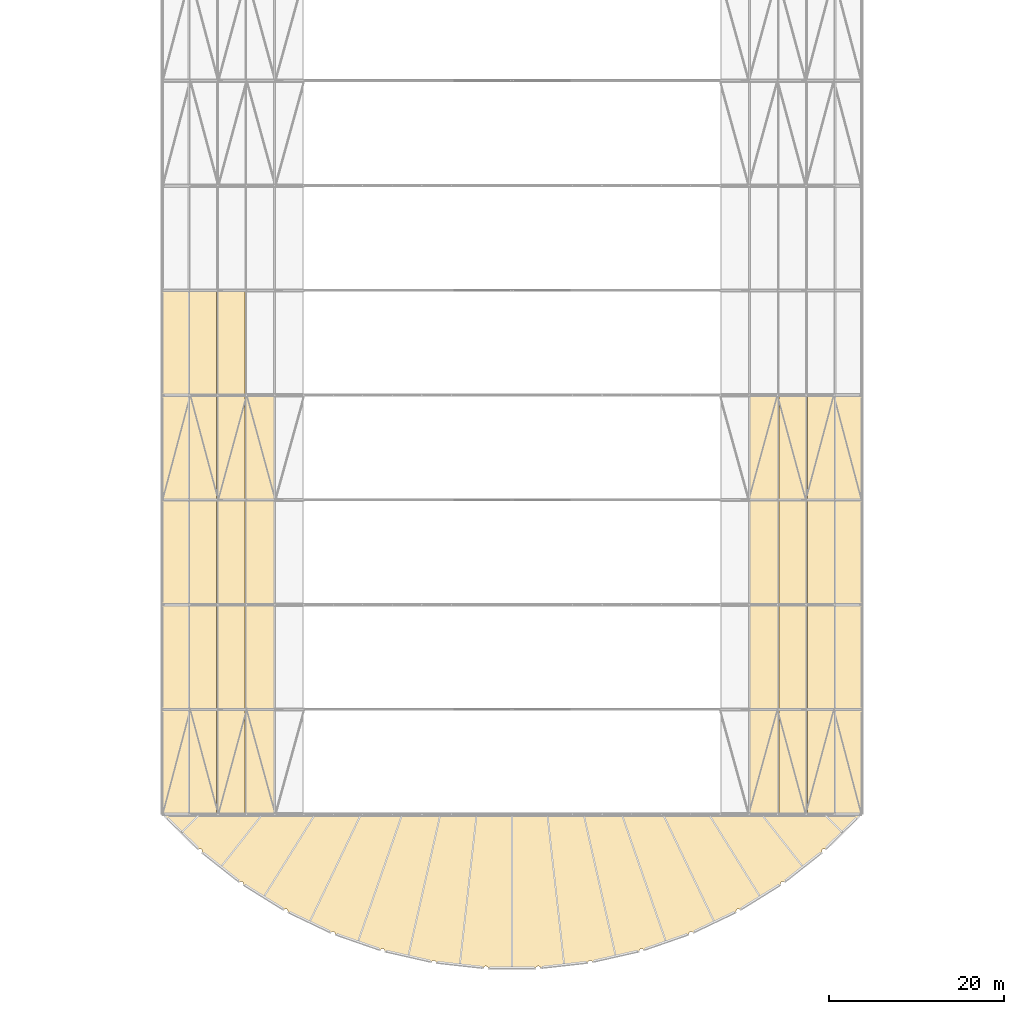
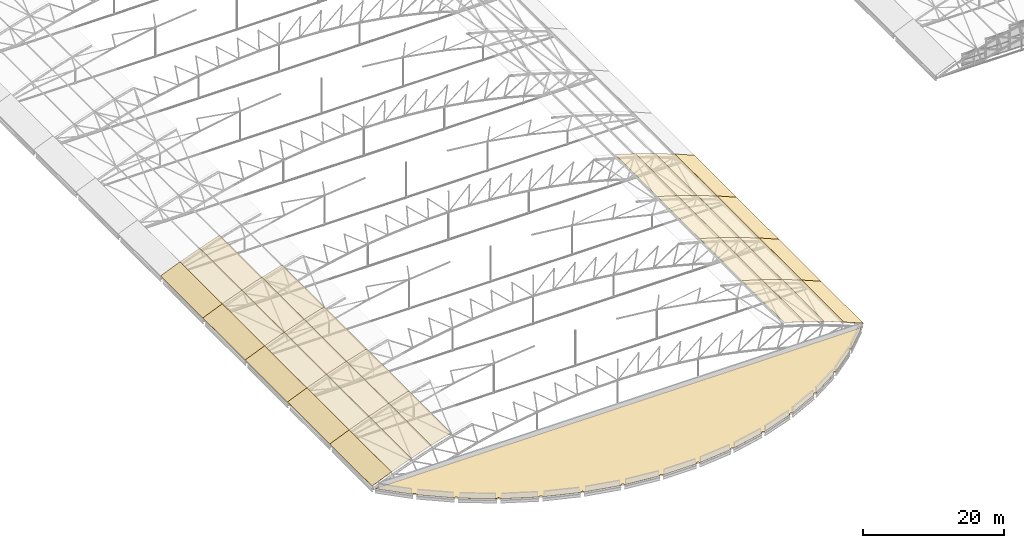
# One storey, part 315 of 321: 36 coverings.
"""IFC4 building model written with IfcOpenShell, lengths in metres."""

from ifc_helpers import new_model, si_unit, direction, frame, origin, place, context, subcontext, project, spatial, polyline, outline, extrude, material, layer, layer_set, type_object, element, save


model = new_model("IFC4")

# Units and contexts
model_context = context("Model", 3, precision=1e-05, world=origin(), true_north=direction((0.0, 1.0)))
body_context = subcontext(model_context, "Body", "Model", "MODEL_VIEW")
ifc_project = project(units=[si_unit("LENGTHUNIT", "METRE"), si_unit("AREAUNIT", "SQUARE_METRE"), si_unit("VOLUMEUNIT", "CUBIC_METRE"), si_unit("PLANEANGLEUNIT", "RADIAN"), si_unit("MASSUNIT", "GRAM", prefix="KILO")], contexts=[model_context])

# Site, building, storey
site_placement = place(None, origin())
site = spatial("IfcSite", under=ifc_project, at=site_placement, CompositionType="ELEMENT")
building_placement = place(site_placement, origin())
building = spatial("IfcBuilding", under=site, at=building_placement, Name="Ravi Spectrum Wholesale Market", CompositionType="ELEMENT")
storey_placement = place(building_placement, frame((0.0, 0.0, 10.800048828125)))
storey = spatial("IfcBuildingStorey", under=building, at=storey_placement, Name="L02", CompositionType="ELEMENT", Elevation=10.800048828125)

# Coverings
ifc_material = material(Name="Roofing membrane")
ifc_layer = layer(ifc_material, 0.008056640625)
ifc_layer_set = layer_set([ifc_layer], Name="Roofing membrane")
covering_type = type_object("IfcCoveringType", Name="Roofing membrane 8", PredefinedType="ROOFING", material=ifc_layer_set)
covering_1_placement = place(storey_placement, frame((29.76025390625, 30.0, 0.55126953125), z_axis=(-0.386400188162, 0.0, 0.922331228241), x_axis=(0.922331228241, 0.0, 0.386400188162)))
element("IfcCovering", 1, at=covering_1_placement, inside=storey, type_object=covering_type, Name="H1-CV-L02-001", PredefinedType="ROOFING", context=body_context, shape_type="SweptSolid", body=[
    extrude(outline(polyline([(0.0, 0.0), (3.44665233138391, 0.0), (3.44665233138391, 12.0), (0.0, 12.0), (0.0, 0.0)])), origin(), (0.0, 0.0, -1.0), 0.008056640625),
])
covering_2_placement = place(storey_placement, frame((32.943115234375, 30.0, 1.884765625), z_axis=(-0.354304022931, 0.0, 0.935130290032), x_axis=(0.935130290032, 0.0, 0.354304022931)))
element("IfcCovering", 2, at=covering_2_placement, inside=storey, type_object=covering_type, Name="H1-CV-L02-002", PredefinedType="ROOFING", context=body_context, shape_type="SweptSolid", body=[
    extrude(outline(polyline([(0.0, 0.0), (3.446733108325278, 0.0), (3.446733108325278, 12.0), (0.0, 12.0), (0.0, 0.0)])), origin(), (0.0, 0.0, -1.0), 0.008056640625),
])
covering_3_placement = place(storey_placement, frame((36.17041015625, 30.0, 3.107666015625), z_axis=(-0.321874795259, 0.0, 0.946782243273), x_axis=(0.946782243273, 0.0, 0.321874795259)))
element("IfcCovering", 3, at=covering_3_placement, inside=storey, type_object=covering_type, Name="H1-CV-L02-003", PredefinedType="ROOFING", context=body_context, shape_type="SweptSolid", body=[
    extrude(outline(polyline([(0.0, 0.0), (3.4466041340925955, 0.0), (3.4466041340925955, 12.000000000000004), (0.0, 12.000000000000004), (0.0, 0.0)])), origin(), (0.0, 0.0, -1.0), 0.008056640625),
])
for number, where, z_axis, x_axis, name in (
    (4, (39.437744140625, 30.0, 4.21826171875), (-0.289069508048, 0.0, 0.957308111068), (0.957308111068, 0.0, 0.289069508048), "H1-CV-L02-004"),
    (5, (97.2626953125, 30.0, 5.214599609375), (0.289069508048, 0.0, 0.957308111068), (0.957308111068, 0.0, -0.289069508048), "H1-CV-L02-005"),
):
    element("IfcCovering", number, at=place(storey_placement, frame(where, z_axis=z_axis, x_axis=x_axis)), inside=storey, type_object=covering_type, Name=name, PredefinedType="ROOFING", context=body_context, shape_type="SweptSolid", body=[
        extrude(outline(polyline([(0.0, 0.0), (3.4467069783764797, 0.0), (3.4467069783764797, 12.0), (0.0, 12.0), (0.0, 0.0)])), origin(), (0.0, 0.0, -1.0), 0.008056640625),
    ])
covering_4_placement = place(storey_placement, frame((100.56640625, 30.0, 4.217041015625), z_axis=(0.321874795259, 0.0, 0.946782243273), x_axis=(0.946782243273, 0.0, -0.321874795259)))
element("IfcCovering", 6, at=covering_4_placement, inside=storey, type_object=covering_type, Name="H1-CV-L02-006", PredefinedType="ROOFING", context=body_context, shape_type="SweptSolid", body=[
    extrude(outline(polyline([(0.0, 0.0), (3.4466041340925955, 0.0), (3.4466041340925955, 12.000000000000004), (0.0, 12.000000000000004), (0.0, 0.0)])), origin(), (0.0, 0.0, -1.0), 0.008056640625),
])
covering_5_placement = place(storey_placement, frame((103.833740234375, 30.0, 3.10595703125), z_axis=(0.354304022931, 0.0, 0.935130290032), x_axis=(0.935130290032, 0.0, -0.354304022931)))
element("IfcCovering", 7, at=covering_5_placement, inside=storey, type_object=covering_type, Name="H1-CV-L02-007", PredefinedType="ROOFING", context=body_context, shape_type="SweptSolid", body=[
    extrude(outline(polyline([(0.0, 0.0), (3.446733108325278, 0.0), (3.446733108325278, 12.0), (0.0, 12.0), (0.0, 0.0)])), origin(), (0.0, 0.0, -1.0), 0.008056640625),
])
for number, where, z_axis, x_axis, name in (
    (8, (107.060791015625, 30.0, 1.883056640625), (0.386400188162, 0.0, 0.922331228241), (0.922331228241, 0.0, -0.386400188162), "H1-CV-L02-008"),
    (9, (29.76025390625, 42.0, 0.55126953125), (-0.386400188162, 0.0, 0.922331228241), (0.922331228241, 0.0, 0.386400188162), "H1-CV-L02-009"),
):
    element("IfcCovering", number, at=place(storey_placement, frame(where, z_axis=z_axis, x_axis=x_axis)), inside=storey, type_object=covering_type, Name=name, PredefinedType="ROOFING", context=body_context, shape_type="SweptSolid", body=[
        extrude(outline(polyline([(0.0, 0.0), (3.44665233138391, 0.0), (3.44665233138391, 12.0), (0.0, 12.0), (0.0, 0.0)])), origin(), (0.0, 0.0, -1.0), 0.008056640625),
    ])
covering_6_placement = place(storey_placement, frame((32.943115234375, 42.0, 1.884765625), z_axis=(-0.354304022931, 0.0, 0.935130290032), x_axis=(0.935130290032, 0.0, 0.354304022931)))
element("IfcCovering", 10, at=covering_6_placement, inside=storey, type_object=covering_type, Name="H1-CV-L02-010", PredefinedType="ROOFING", context=body_context, shape_type="SweptSolid", body=[
    extrude(outline(polyline([(0.0, 0.0), (3.446733108325278, 0.0), (3.446733108325278, 12.0), (0.0, 12.0), (0.0, 0.0)])), origin(), (0.0, 0.0, -1.0), 0.008056640625),
])
covering_7_placement = place(storey_placement, frame((36.17041015625, 42.0, 3.107666015625), z_axis=(-0.321874795259, 0.0, 0.946782243273), x_axis=(0.946782243273, 0.0, 0.321874795259)))
element("IfcCovering", 11, at=covering_7_placement, inside=storey, type_object=covering_type, Name="H1-CV-L02-011", PredefinedType="ROOFING", context=body_context, shape_type="SweptSolid", body=[
    extrude(outline(polyline([(0.0, 0.0), (3.4466041340925955, 0.0), (3.4466041340925955, 12.000000000000004), (0.0, 12.000000000000004), (0.0, 0.0)])), origin(), (0.0, 0.0, -1.0), 0.008056640625),
])
for number, where, z_axis, x_axis, name in (
    (12, (39.437744140625, 42.0, 4.21826171875), (-0.289069508048, 0.0, 0.957308111068), (0.957308111068, 0.0, 0.289069508048), "H1-CV-L02-012"),
    (13, (97.2626953125, 42.0, 5.214599609375), (0.289069508048, 0.0, 0.957308111068), (0.957308111068, 0.0, -0.289069508048), "H1-CV-L02-013"),
):
    element("IfcCovering", number, at=place(storey_placement, frame(where, z_axis=z_axis, x_axis=x_axis)), inside=storey, type_object=covering_type, Name=name, PredefinedType="ROOFING", context=body_context, shape_type="SweptSolid", body=[
        extrude(outline(polyline([(0.0, 0.0), (3.4467069783764797, 0.0), (3.4467069783764797, 12.0), (0.0, 12.0), (0.0, 0.0)])), origin(), (0.0, 0.0, -1.0), 0.008056640625),
    ])
covering_8_placement = place(storey_placement, frame((100.56640625, 42.0, 4.217041015625), z_axis=(0.321874795259, 0.0, 0.946782243273), x_axis=(0.946782243273, 0.0, -0.321874795259)))
element("IfcCovering", 14, at=covering_8_placement, inside=storey, type_object=covering_type, Name="H1-CV-L02-014", PredefinedType="ROOFING", context=body_context, shape_type="SweptSolid", body=[
    extrude(outline(polyline([(0.0, 0.0), (3.4466041340925955, 0.0), (3.4466041340925955, 12.000000000000004), (0.0, 12.000000000000004), (0.0, 0.0)])), origin(), (0.0, 0.0, -1.0), 0.008056640625),
])
covering_9_placement = place(storey_placement, frame((103.833740234375, 42.0, 3.10595703125), z_axis=(0.354304022931, 0.0, 0.935130290032), x_axis=(0.935130290032, 0.0, -0.354304022931)))
element("IfcCovering", 15, at=covering_9_placement, inside=storey, type_object=covering_type, Name="H1-CV-L02-015", PredefinedType="ROOFING", context=body_context, shape_type="SweptSolid", body=[
    extrude(outline(polyline([(0.0, 0.0), (3.446733108325278, 0.0), (3.446733108325278, 12.0), (0.0, 12.0), (0.0, 0.0)])), origin(), (0.0, 0.0, -1.0), 0.008056640625),
])
for number, where, z_axis, x_axis, name in (
    (16, (107.060791015625, 42.0, 1.883056640625), (0.386400188162, 0.0, 0.922331228241), (0.922331228241, 0.0, -0.386400188162), "H1-CV-L02-016"),
    (17, (29.76025390625, 54.0, 0.55126953125), (-0.386400188162, 0.0, 0.922331228241), (0.922331228241, 0.0, 0.386400188162), "H1-CV-L02-017"),
):
    element("IfcCovering", number, at=place(storey_placement, frame(where, z_axis=z_axis, x_axis=x_axis)), inside=storey, type_object=covering_type, Name=name, PredefinedType="ROOFING", context=body_context, shape_type="SweptSolid", body=[
        extrude(outline(polyline([(0.0, 0.0), (3.44665233138391, 0.0), (3.44665233138391, 12.0), (0.0, 12.0), (0.0, 0.0)])), origin(), (0.0, 0.0, -1.0), 0.008056640625),
    ])
covering_10_placement = place(storey_placement, frame((32.943115234375, 54.0, 1.884765625), z_axis=(-0.354304022931, 0.0, 0.935130290032), x_axis=(0.935130290032, 0.0, 0.354304022931)))
element("IfcCovering", 18, at=covering_10_placement, inside=storey, type_object=covering_type, Name="H1-CV-L02-018", PredefinedType="ROOFING", context=body_context, shape_type="SweptSolid", body=[
    extrude(outline(polyline([(0.0, 0.0), (3.446733108325278, 0.0), (3.446733108325278, 12.0), (0.0, 12.0), (0.0, 0.0)])), origin(), (0.0, 0.0, -1.0), 0.008056640625),
])
covering_11_placement = place(storey_placement, frame((36.17041015625, 54.0, 3.107666015625), z_axis=(-0.321874795259, 0.0, 0.946782243273), x_axis=(0.946782243273, 0.0, 0.321874795259)))
element("IfcCovering", 19, at=covering_11_placement, inside=storey, type_object=covering_type, Name="H1-CV-L02-019", PredefinedType="ROOFING", context=body_context, shape_type="SweptSolid", body=[
    extrude(outline(polyline([(0.0, 0.0), (3.4466041340925955, 0.0), (3.4466041340925955, 12.000000000000004), (0.0, 12.000000000000004), (0.0, 0.0)])), origin(), (0.0, 0.0, -1.0), 0.008056640625),
])
for number, where, z_axis, x_axis, name in (
    (20, (39.437744140625, 54.0, 4.21826171875), (-0.289069508048, 0.0, 0.957308111068), (0.957308111068, 0.0, 0.289069508048), "H1-CV-L02-020"),
    (21, (97.2626953125, 54.0, 5.214599609375), (0.289069508048, 0.0, 0.957308111068), (0.957308111068, 0.0, -0.289069508048), "H1-CV-L02-021"),
):
    element("IfcCovering", number, at=place(storey_placement, frame(where, z_axis=z_axis, x_axis=x_axis)), inside=storey, type_object=covering_type, Name=name, PredefinedType="ROOFING", context=body_context, shape_type="SweptSolid", body=[
        extrude(outline(polyline([(0.0, 0.0), (3.4467069783764797, 0.0), (3.4467069783764797, 12.0), (0.0, 12.0), (0.0, 0.0)])), origin(), (0.0, 0.0, -1.0), 0.008056640625),
    ])
covering_12_placement = place(storey_placement, frame((100.56640625, 54.0, 4.217041015625), z_axis=(0.321874795259, 0.0, 0.946782243273), x_axis=(0.946782243273, 0.0, -0.321874795259)))
element("IfcCovering", 22, at=covering_12_placement, inside=storey, type_object=covering_type, Name="H1-CV-L02-022", PredefinedType="ROOFING", context=body_context, shape_type="SweptSolid", body=[
    extrude(outline(polyline([(0.0, 0.0), (3.4466041340925955, 0.0), (3.4466041340925955, 12.000000000000004), (0.0, 12.000000000000004), (0.0, 0.0)])), origin(), (0.0, 0.0, -1.0), 0.008056640625),
])
covering_13_placement = place(storey_placement, frame((103.833740234375, 54.0, 3.10595703125), z_axis=(0.354304022931, 0.0, 0.935130290032), x_axis=(0.935130290032, 0.0, -0.354304022931)))
element("IfcCovering", 23, at=covering_13_placement, inside=storey, type_object=covering_type, Name="H1-CV-L02-023", PredefinedType="ROOFING", context=body_context, shape_type="SweptSolid", body=[
    extrude(outline(polyline([(0.0, 0.0), (3.446733108325278, 0.0), (3.446733108325278, 12.0), (0.0, 12.0), (0.0, 0.0)])), origin(), (0.0, 0.0, -1.0), 0.008056640625),
])
for number, where, z_axis, x_axis, name in (
    (24, (107.060791015625, 54.0, 1.883056640625), (0.386400188162, 0.0, 0.922331228241), (0.922331228241, 0.0, -0.386400188162), "H1-CV-L02-024"),
    (25, (29.76025390625, 66.0, 0.55126953125), (-0.386400188162, 0.0, 0.922331228241), (0.922331228241, 0.0, 0.386400188162), "H1-CV-L02-025"),
):
    element("IfcCovering", number, at=place(storey_placement, frame(where, z_axis=z_axis, x_axis=x_axis)), inside=storey, type_object=covering_type, Name=name, PredefinedType="ROOFING", context=body_context, shape_type="SweptSolid", body=[
        extrude(outline(polyline([(0.0, 0.0), (3.44665233138391, 0.0), (3.44665233138391, 12.0), (0.0, 12.0), (0.0, 0.0)])), origin(), (0.0, 0.0, -1.0), 0.008056640625),
    ])
covering_14_placement = place(storey_placement, frame((32.943115234375, 66.0, 1.884765625), z_axis=(-0.354304022931, 0.0, 0.935130290032), x_axis=(0.935130290032, 0.0, 0.354304022931)))
element("IfcCovering", 26, at=covering_14_placement, inside=storey, type_object=covering_type, Name="H1-CV-L02-026", PredefinedType="ROOFING", context=body_context, shape_type="SweptSolid", body=[
    extrude(outline(polyline([(0.0, 0.0), (3.446733108325278, 0.0), (3.446733108325278, 12.0), (0.0, 12.0), (0.0, 0.0)])), origin(), (0.0, 0.0, -1.0), 0.008056640625),
])
covering_15_placement = place(storey_placement, frame((36.17041015625, 66.0, 3.107666015625), z_axis=(-0.321874795259, 0.0, 0.946782243273), x_axis=(0.946782243273, 0.0, 0.321874795259)))
element("IfcCovering", 27, at=covering_15_placement, inside=storey, type_object=covering_type, Name="H1-CV-L02-027", PredefinedType="ROOFING", context=body_context, shape_type="SweptSolid", body=[
    extrude(outline(polyline([(0.0, 0.0), (3.4466041340925955, 0.0), (3.4466041340925955, 12.000000000000004), (0.0, 12.000000000000004), (0.0, 0.0)])), origin(), (0.0, 0.0, -1.0), 0.008056640625),
])
for number, where, z_axis, x_axis, name in (
    (28, (39.437744140625, 66.0, 4.21826171875), (-0.289069508048, 0.0, 0.957308111068), (0.957308111068, 0.0, 0.289069508048), "H1-CV-L02-028"),
    (29, (97.2626953125, 66.0, 5.214599609375), (0.289069508048, 0.0, 0.957308111068), (0.957308111068, 0.0, -0.289069508048), "H1-CV-L02-029"),
):
    element("IfcCovering", number, at=place(storey_placement, frame(where, z_axis=z_axis, x_axis=x_axis)), inside=storey, type_object=covering_type, Name=name, PredefinedType="ROOFING", context=body_context, shape_type="SweptSolid", body=[
        extrude(outline(polyline([(0.0, 0.0), (3.4467069783764797, 0.0), (3.4467069783764797, 12.0), (0.0, 12.0), (0.0, 0.0)])), origin(), (0.0, 0.0, -1.0), 0.008056640625),
    ])
covering_16_placement = place(storey_placement, frame((100.56640625, 66.0, 4.217041015625), z_axis=(0.321874795259, 0.0, 0.946782243273), x_axis=(0.946782243273, 0.0, -0.321874795259)))
element("IfcCovering", 30, at=covering_16_placement, inside=storey, type_object=covering_type, Name="H1-CV-L02-030", PredefinedType="ROOFING", context=body_context, shape_type="SweptSolid", body=[
    extrude(outline(polyline([(0.0, 0.0), (3.4466041340925955, 0.0), (3.4466041340925955, 12.000000000000004), (0.0, 12.000000000000004), (0.0, 0.0)])), origin(), (0.0, 0.0, -1.0), 0.008056640625),
])
covering_17_placement = place(storey_placement, frame((103.833740234375, 66.0, 3.10595703125), z_axis=(0.354304022931, 0.0, 0.935130290032), x_axis=(0.935130290032, 0.0, -0.354304022931)))
element("IfcCovering", 31, at=covering_17_placement, inside=storey, type_object=covering_type, Name="H1-CV-L02-031", PredefinedType="ROOFING", context=body_context, shape_type="SweptSolid", body=[
    extrude(outline(polyline([(0.0, 0.0), (3.446733108325278, 0.0), (3.446733108325278, 12.0), (0.0, 12.0), (0.0, 0.0)])), origin(), (0.0, 0.0, -1.0), 0.008056640625),
])
for number, where, z_axis, x_axis, name in (
    (32, (107.060791015625, 66.0, 1.883056640625), (0.386400188162, 0.0, 0.922331228241), (0.922331228241, 0.0, -0.386400188162), "H1-CV-L02-032"),
    (33, (29.76025390625, 78.0, 0.55126953125), (-0.386400188162, 0.0, 0.922331228241), (0.922331228241, 0.0, 0.386400188162), "H1-CV-L02-033"),
):
    element("IfcCovering", number, at=place(storey_placement, frame(where, z_axis=z_axis, x_axis=x_axis)), inside=storey, type_object=covering_type, Name=name, PredefinedType="ROOFING", context=body_context, shape_type="SweptSolid", body=[
        extrude(outline(polyline([(0.0, 0.0), (3.44665233138391, 0.0), (3.44665233138391, 12.0), (0.0, 12.0), (0.0, 0.0)])), origin(), (0.0, 0.0, -1.0), 0.008056640625),
    ])
covering_18_placement = place(storey_placement, frame((32.943115234375, 78.0, 1.884765625), z_axis=(-0.354304022931, 0.0, 0.935130290032), x_axis=(0.935130290032, 0.0, 0.354304022931)))
element("IfcCovering", 34, at=covering_18_placement, inside=storey, type_object=covering_type, Name="H1-CV-L02-034", PredefinedType="ROOFING", context=body_context, shape_type="SweptSolid", body=[
    extrude(outline(polyline([(0.0, 0.0), (3.446733108325278, 0.0), (3.446733108325278, 12.0), (0.0, 12.0), (0.0, 0.0)])), origin(), (0.0, 0.0, -1.0), 0.008056640625),
])
covering_19_placement = place(storey_placement, frame((36.17041015625, 78.0, 3.107666015625), z_axis=(-0.321874795259, 0.0, 0.946782243273), x_axis=(0.946782243273, 0.0, 0.321874795259)))
element("IfcCovering", 35, at=covering_19_placement, inside=storey, type_object=covering_type, Name="H1-CV-L02-035", PredefinedType="ROOFING", context=body_context, shape_type="SweptSolid", body=[
    extrude(outline(polyline([(0.0, 0.0), (3.4466041340925955, 0.0), (3.4466041340925955, 12.000000000000004), (0.0, 12.000000000000004), (0.0, 0.0)])), origin(), (0.0, 0.0, -1.0), 0.008056640625),
])
covering_20_placement = place(storey_placement, frame((0.0, 0.0, 0.050048828125)))
element("IfcCovering", 36, at=covering_20_placement, inside=storey, type_object=covering_type, Name="H1-CV-L02-113", PredefinedType="ROOFING", context=body_context, shape_type="SweptSolid", body=[
    extrude(outline(polyline([(101.218505859375, 22.232421875), (101.21533203125, 22.236572265625), (101.197998046875, 22.255859375), (101.1787109375, 22.273193359375), (101.157958984375, 22.288818359375), (101.1357421875, 22.302001953125), (101.1123046875, 22.31298828125), (101.087890625, 22.32177734375), (101.062744140625, 22.328125), (101.037109375, 22.33203125), (101.01123046875, 22.333251953125), (100.9853515625, 22.33203125), (100.959716796875, 22.328125), (100.9345703125, 22.32177734375), (100.91015625, 22.31298828125), (100.88671875, 22.302001953125), (100.864501953125, 22.288818359375), (100.84375, 22.273193359375), (100.824462890625, 22.255859375), (100.80712890625, 22.236572265625), (100.791748046875, 22.2158203125), (100.7783203125, 22.193603515625), (100.767333984375, 22.170166015625), (100.758544921875, 22.145751953125), (100.752197265625, 22.12060546875), (100.74853515625, 22.094970703125), (100.747314453125, 22.069091796875), (100.74853515625, 22.043212890625), (100.752197265625, 22.017578125), (100.758544921875, 21.99267578125), (100.767333984375, 21.96826171875), (100.7783203125, 21.94482421875), (100.787109375, 21.929931640625), (96.13671875, 19.03955078125), (96.13232421875, 19.046875), (96.116943359375, 19.06787109375), (96.099609375, 19.0869140625), (96.080322265625, 19.104248046875), (96.0595703125, 19.119873046875), (96.037353515625, 19.133056640625), (96.013916015625, 19.144287109375), (95.989501953125, 19.15283203125), (95.96435546875, 19.1591796875), (95.938720703125, 19.1630859375), (95.912841796875, 19.164306640625), (95.886962890625, 19.1630859375), (95.861328125, 19.1591796875), (95.836181640625, 19.15283203125), (95.811767578125, 19.144287109375), (95.788330078125, 19.133056640625), (95.76611328125, 19.119873046875), (95.745361328125, 19.104248046875), (95.72607421875, 19.0869140625), (95.708740234375, 19.06787109375), (95.693359375, 19.046875), (95.679931640625, 19.024658203125), (95.6689453125, 19.001220703125), (95.66015625, 18.97705078125), (95.65380859375, 18.951904296875), (95.650146484375, 18.92626953125), (95.64892578125, 18.900390625), (95.650146484375, 18.87451171875), (95.65380859375, 18.848876953125), (95.66015625, 18.82373046875), (95.6689453125, 18.79931640625), (95.6748046875, 18.786865234375), (90.732177734375, 16.430419921875), (90.72705078125, 16.44140625), (90.713623046875, 16.463623046875), (90.6982421875, 16.484375), (90.680908203125, 16.503662109375), (90.66162109375, 16.52099609375), (90.640869140625, 16.536376953125), (90.61865234375, 16.5498046875), (90.59521484375, 16.560791015625), (90.57080078125, 16.569580078125), (90.545654296875, 16.57568359375), (90.52001953125, 16.57958984375), (90.494140625, 16.580810546875), (90.46826171875, 16.57958984375), (90.442626953125, 16.57568359375), (90.41748046875, 16.569580078125), (90.393310546875, 16.560791015625), (90.369873046875, 16.5498046875), (90.34765625, 16.536376953125), (90.32666015625, 16.52099609375), (90.3076171875, 16.503662109375), (90.2900390625, 16.484375), (90.274658203125, 16.463623046875), (90.261474609375, 16.44140625), (90.250244140625, 16.41796875), (90.24169921875, 16.3935546875), (90.2353515625, 16.368408203125), (90.2314453125, 16.3427734375), (90.230224609375, 16.31689453125), (90.2314453125, 16.291015625), (90.2353515625, 16.265380859375), (90.24169921875, 16.240234375), (90.2451171875, 16.23046875), (85.071533203125, 14.437255859375), (85.066162109375, 14.451904296875), (85.05517578125, 14.475341796875), (85.0419921875, 14.49755859375), (85.0263671875, 14.518310546875), (85.009033203125, 14.53759765625), (84.98974609375, 14.554931640625), (84.968994140625, 14.5703125), (84.94677734375, 14.583740234375), (84.92333984375, 14.5947265625), (84.89892578125, 14.603515625), (84.873779296875, 14.60986328125), (84.84814453125, 14.613525390625), (84.822265625, 14.61474609375), (84.79638671875, 14.613525390625), (84.770751953125, 14.60986328125), (84.745849609375, 14.603515625), (84.721435546875, 14.5947265625), (84.697998046875, 14.583740234375), (84.67578125, 14.5703125), (84.65478515625, 14.554931640625), (84.6357421875, 14.53759765625), (84.618408203125, 14.518310546875), (84.602783203125, 14.49755859375), (84.589599609375, 14.475341796875), (84.578369140625, 14.451904296875), (84.56982421875, 14.427490234375), (84.5634765625, 14.40234375), (84.5595703125, 14.376708984375), (84.558349609375, 14.350830078125), (84.5595703125, 14.324951171875), (84.5634765625, 14.29931640625), (84.565185546875, 14.292724609375), (79.224609375, 13.084716796875), (79.219970703125, 13.10302734375), (79.211181640625, 13.12744140625), (79.2001953125, 13.15087890625), (79.186767578125, 13.173095703125), (79.17138671875, 13.19384765625), (79.154052734375, 13.213134765625), (79.134765625, 13.23046875), (79.114013671875, 13.24609375), (79.091796875, 13.25927734375), (79.068359375, 13.2705078125), (79.0439453125, 13.279052734375), (79.018798828125, 13.285400390625), (78.9931640625, 13.289306640625), (78.96728515625, 13.29052734375), (78.94140625, 13.289306640625), (78.915771484375, 13.285400390625), (78.890625, 13.279052734375), (78.8662109375, 13.2705078125), (78.8427734375, 13.25927734375), (78.820556640625, 13.24609375), (78.7998046875, 13.23046875), (78.78076171875, 13.213134765625), (78.76318359375, 13.19384765625), (78.747802734375, 13.173095703125), (78.734619140625, 13.15087890625), (78.723388671875, 13.12744140625), (78.714599609375, 13.10302734375), (78.70849609375, 13.077880859375), (78.70458984375, 13.05224609375), (78.703369140625, 13.0263671875), (78.70458984375, 13.00048828125), (78.705078125, 12.997314453125), (73.263671875, 12.389404296875), (73.260498046875, 12.41162109375), (73.254150390625, 12.436767578125), (73.245361328125, 12.461181640625), (73.234375, 12.484619140625), (73.220947265625, 12.5068359375), (73.20556640625, 12.527587890625), (73.188232421875, 12.546875), (73.1689453125, 12.564208984375), (73.148193359375, 12.57958984375), (73.1259765625, 12.593017578125), (73.1025390625, 12.60400390625), (73.078125, 12.61279296875), (73.052978515625, 12.619140625), (73.02734375, 12.622802734375), (73.00146484375, 12.624267578125), (72.9755859375, 12.622802734375), (72.949951171875, 12.619140625), (72.9248046875, 12.61279296875), (72.900390625, 12.60400390625), (72.876953125, 12.593017578125), (72.854736328125, 12.57958984375), (72.833984375, 12.564208984375), (72.814697265625, 12.546875), (72.79736328125, 12.527587890625), (72.781982421875, 12.5068359375), (72.7685546875, 12.484619140625), (72.757568359375, 12.461181640625), (72.748779296875, 12.436767578125), (72.742431640625, 12.41162109375), (72.73876953125, 12.385986328125), (72.737548828125, 12.360107421875), (67.262451171875, 12.360107421875), (67.26123046875, 12.385986328125), (67.257568359375, 12.41162109375), (67.251220703125, 12.436767578125), (67.242431640625, 12.461181640625), (67.2314453125, 12.484619140625), (67.218017578125, 12.5068359375), (67.20263671875, 12.527587890625), (67.185302734375, 12.546875), (67.166015625, 12.564208984375), (67.145263671875, 12.57958984375), (67.123046875, 12.593017578125), (67.099609375, 12.60400390625), (67.0751953125, 12.61279296875), (67.050048828125, 12.619140625), (67.0244140625, 12.622802734375), (66.99853515625, 12.624267578125), (66.97265625, 12.622802734375), (66.947021484375, 12.619140625), (66.921875, 12.61279296875), (66.8974609375, 12.60400390625), (66.8740234375, 12.593017578125), (66.851806640625, 12.57958984375), (66.8310546875, 12.564208984375), (66.811767578125, 12.546875), (66.79443359375, 12.527587890625), (66.779052734375, 12.5068359375), (66.765625, 12.484619140625), (66.754638671875, 12.461181640625), (66.745849609375, 12.436767578125), (66.739501953125, 12.41162109375), (66.736328125, 12.389404296875), (61.294921875, 12.997314453125), (61.29541015625, 13.00048828125), (61.296630859375, 13.0263671875), (61.29541015625, 13.05224609375), (61.29150390625, 13.077880859375), (61.285400390625, 13.10302734375), (61.276611328125, 13.12744140625), (61.265380859375, 13.15087890625), (61.252197265625, 13.173095703125), (61.23681640625, 13.19384765625), (61.21923828125, 13.213134765625), (61.2001953125, 13.23046875), (61.179443359375, 13.24609375), (61.1572265625, 13.25927734375), (61.1337890625, 13.2705078125), (61.109375, 13.279052734375), (61.084228515625, 13.285400390625), (61.05859375, 13.289306640625), (61.03271484375, 13.29052734375), (61.0068359375, 13.289306640625), (60.981201171875, 13.285400390625), (60.9560546875, 13.279052734375), (60.931640625, 13.2705078125), (60.908203125, 13.25927734375), (60.885986328125, 13.24609375), (60.865234375, 13.23046875), (60.845947265625, 13.213134765625), (60.82861328125, 13.19384765625), (60.813232421875, 13.173095703125), (60.7998046875, 13.15087890625), (60.788818359375, 13.12744140625), (60.780029296875, 13.10302734375), (60.775390625, 13.084716796875), (55.434814453125, 14.292724609375), (55.4365234375, 14.29931640625), (55.4404296875, 14.324951171875), (55.441650390625, 14.350830078125), (55.4404296875, 14.376708984375), (55.4365234375, 14.40234375), (55.43017578125, 14.427490234375), (55.421630859375, 14.451904296875), (55.410400390625, 14.475341796875), (55.397216796875, 14.49755859375), (55.381591796875, 14.518310546875), (55.3642578125, 14.53759765625), (55.34521484375, 14.554931640625), (55.32421875, 14.5703125), (55.302001953125, 14.583740234375), (55.278564453125, 14.5947265625), (55.254150390625, 14.603515625), (55.229248046875, 14.60986328125), (55.20361328125, 14.613525390625), (55.177734375, 14.61474609375), (55.15185546875, 14.613525390625), (55.126220703125, 14.60986328125), (55.10107421875, 14.603515625), (55.07666015625, 14.5947265625), (55.05322265625, 14.583740234375), (55.031005859375, 14.5703125), (55.01025390625, 14.554931640625), (54.990966796875, 14.53759765625), (54.9736328125, 14.518310546875), (54.9580078125, 14.49755859375), (54.94482421875, 14.475341796875), (54.933837890625, 14.451904296875), (54.928466796875, 14.437255859375), (49.7548828125, 16.23046875), (49.75830078125, 16.240234375), (49.7646484375, 16.265380859375), (49.7685546875, 16.291015625), (49.769775390625, 16.31689453125), (49.7685546875, 16.3427734375), (49.7646484375, 16.368408203125), (49.75830078125, 16.3935546875), (49.749755859375, 16.41796875), (49.738525390625, 16.44140625), (49.725341796875, 16.463623046875), (49.7099609375, 16.484375), (49.6923828125, 16.503662109375), (49.67333984375, 16.52099609375), (49.65234375, 16.536376953125), (49.630126953125, 16.5498046875), (49.606689453125, 16.560791015625), (49.58251953125, 16.569580078125), (49.557373046875, 16.57568359375), (49.53173828125, 16.57958984375), (49.505859375, 16.580810546875), (49.47998046875, 16.57958984375), (49.454345703125, 16.57568359375), (49.42919921875, 16.569580078125), (49.40478515625, 16.560791015625), (49.38134765625, 16.5498046875), (49.359130859375, 16.536376953125), (49.33837890625, 16.52099609375), (49.319091796875, 16.503662109375), (49.3017578125, 16.484375), (49.286376953125, 16.463623046875), (49.27294921875, 16.44140625), (49.267822265625, 16.430419921875), (44.3251953125, 18.786865234375), (44.3310546875, 18.79931640625), (44.33984375, 18.82373046875), (44.34619140625, 18.848876953125), (44.349853515625, 18.87451171875), (44.35107421875, 18.900390625), (44.349853515625, 18.92626953125), (44.34619140625, 18.951904296875), (44.33984375, 18.97705078125), (44.3310546875, 19.001220703125), (44.320068359375, 19.024658203125), (44.306640625, 19.046875), (44.291259765625, 19.06787109375), (44.27392578125, 19.0869140625), (44.254638671875, 19.104248046875), (44.23388671875, 19.119873046875), (44.211669921875, 19.133056640625), (44.188232421875, 19.144287109375), (44.163818359375, 19.15283203125), (44.138671875, 19.1591796875), (44.113037109375, 19.1630859375), (44.087158203125, 19.164306640625), (44.061279296875, 19.1630859375), (44.03564453125, 19.1591796875), (44.010498046875, 19.15283203125), (43.986083984375, 19.144287109375), (43.962646484375, 19.133056640625), (43.9404296875, 19.119873046875), (43.919677734375, 19.104248046875), (43.900390625, 19.0869140625), (43.883056640625, 19.06787109375), (43.86767578125, 19.046875), (43.86328125, 19.03955078125), (39.212890625, 21.929931640625), (39.2216796875, 21.94482421875), (39.232666015625, 21.96826171875), (39.241455078125, 21.99267578125), (39.247802734375, 22.017578125), (39.25146484375, 22.043212890625), (39.252685546875, 22.069091796875), (39.25146484375, 22.094970703125), (39.247802734375, 22.12060546875), (39.241455078125, 22.145751953125), (39.232666015625, 22.170166015625), (39.2216796875, 22.193603515625), (39.208251953125, 22.2158203125), (39.19287109375, 22.236572265625), (39.175537109375, 22.255859375), (39.15625, 22.273193359375), (39.135498046875, 22.288818359375), (39.11328125, 22.302001953125), (39.08984375, 22.31298828125), (39.0654296875, 22.32177734375), (39.040283203125, 22.328125), (39.0146484375, 22.33203125), (38.98876953125, 22.333251953125), (38.962890625, 22.33203125), (38.937255859375, 22.328125), (38.912109375, 22.32177734375), (38.8876953125, 22.31298828125), (38.8642578125, 22.302001953125), (38.842041015625, 22.288818359375), (38.8212890625, 22.273193359375), (38.802001953125, 22.255859375), (38.78466796875, 22.236572265625), (38.781494140625, 22.232421875), (34.48095703125, 25.62109375), (34.4931640625, 25.6376953125), (34.506591796875, 25.659912109375), (34.517578125, 25.683349609375), (34.5263671875, 25.707763671875), (34.532470703125, 25.73291015625), (34.536376953125, 25.758544921875), (34.53759765625, 25.784423828125), (34.536376953125, 25.810302734375), (34.532470703125, 25.8359375), (34.5263671875, 25.861083984375), (34.517578125, 25.885498046875), (34.506591796875, 25.908935546875), (34.4931640625, 25.93115234375), (34.477783203125, 25.951904296875), (34.460205078125, 25.97119140625), (34.441162109375, 25.988525390625), (34.42041015625, 26.00390625), (34.398193359375, 26.017333984375), (34.374755859375, 26.0283203125), (34.350341796875, 26.037109375), (34.3251953125, 26.043212890625), (34.299560546875, 26.047119140625), (34.273681640625, 26.04833984375), (34.247802734375, 26.047119140625), (34.22216796875, 26.043212890625), (34.197021484375, 26.037109375), (34.172607421875, 26.0283203125), (34.149169921875, 26.017333984375), (34.126953125, 26.00390625), (34.106201171875, 25.988525390625), (34.0869140625, 25.97119140625), (34.085693359375, 25.9697265625), (30.18798828125, 29.814697265625), (30.2041015625, 29.83251953125), (30.219482421875, 29.853271484375), (30.23291015625, 29.87548828125), (30.243896484375, 29.89892578125), (30.244384765625, 29.89990234375), (109.755615234375, 29.89990234375), (109.756103515625, 29.89892578125), (109.76708984375, 29.87548828125), (109.780517578125, 29.853271484375), (109.7958984375, 29.83251953125), (109.81201171875, 29.814697265625), (105.914306640625, 25.9697265625), (105.9130859375, 25.97119140625), (105.893798828125, 25.988525390625), (105.873046875, 26.00390625), (105.850830078125, 26.017333984375), (105.827392578125, 26.0283203125), (105.802978515625, 26.037109375), (105.77783203125, 26.043212890625), (105.752197265625, 26.047119140625), (105.726318359375, 26.04833984375), (105.700439453125, 26.047119140625), (105.6748046875, 26.043212890625), (105.649658203125, 26.037109375), (105.625244140625, 26.0283203125), (105.601806640625, 26.017333984375), (105.57958984375, 26.00390625), (105.558837890625, 25.988525390625), (105.539794921875, 25.97119140625), (105.522216796875, 25.951904296875), (105.5068359375, 25.93115234375), (105.493408203125, 25.908935546875), (105.482421875, 25.885498046875), (105.4736328125, 25.861083984375), (105.467529296875, 25.8359375), (105.463623046875, 25.810302734375), (105.46240234375, 25.784423828125), (105.463623046875, 25.758544921875), (105.467529296875, 25.73291015625), (105.4736328125, 25.707763671875), (105.482421875, 25.683349609375), (105.493408203125, 25.659912109375), (105.5068359375, 25.6376953125), (105.51904296875, 25.62109375), (101.218505859375, 22.232421875)])), origin(), (0.0, 0.0, 1.0), 0.0078125),
])

save(model, "model.ifc")
